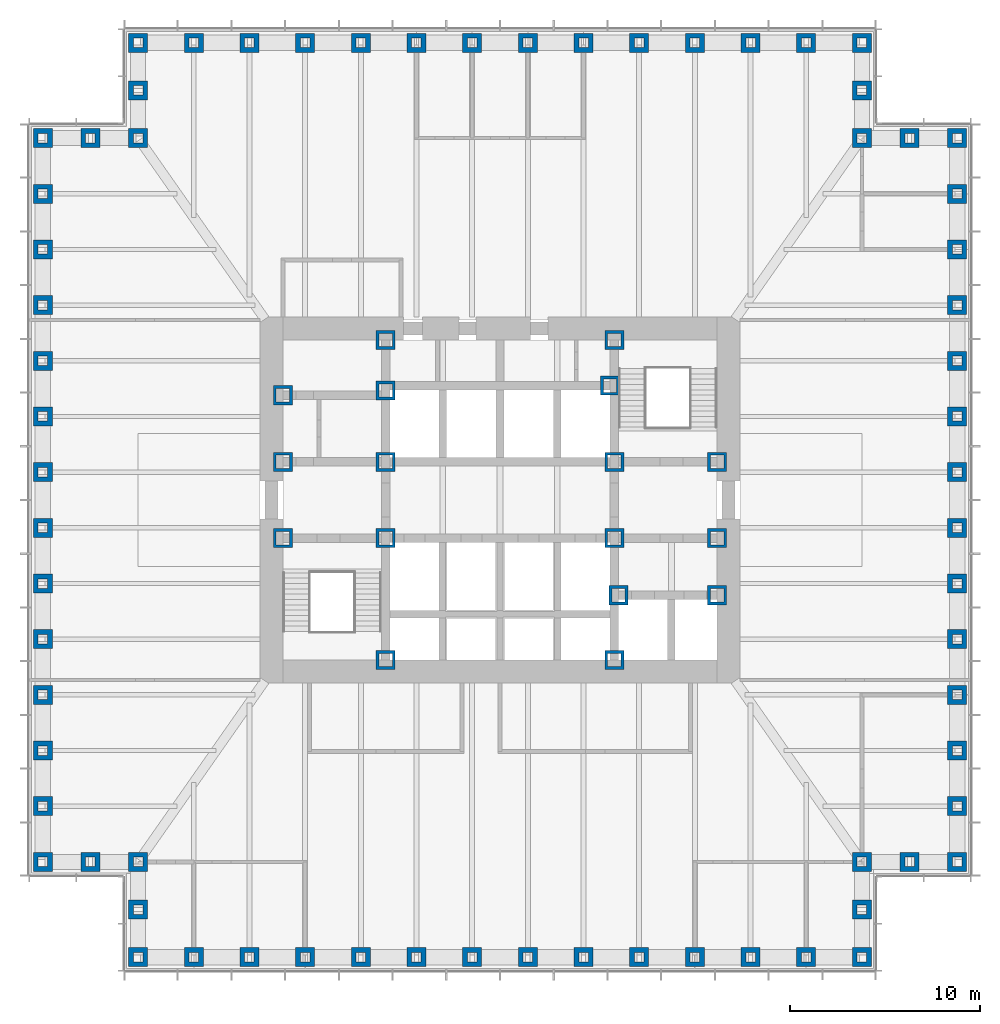
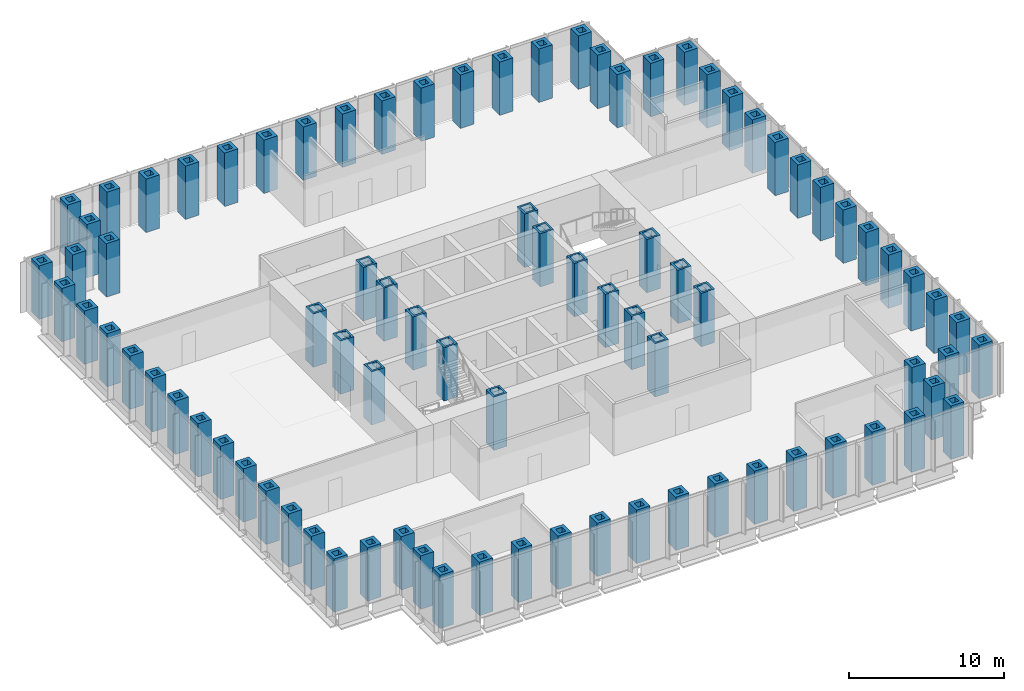
# One storey, part 1 of 16: 85 columns.
"""IFC4 building model written with IfcOpenShell, lengths in metres."""

from ifc_helpers import new_model, si_unit, direction, frame, origin, origin_2d, place, context, subcontext, project, spatial, hollow_rectangle, extrude, material, material_profile, profile_set, type_object, element, save


model = new_model("IFC4")

# Units and contexts
model_context = context("Model", 3, precision=1e-05, world=origin(), true_north=direction((0.0, 1.0)))
body_context = subcontext(model_context, "Body", "Model", "MODEL_VIEW")
ifc_project = project(units=[si_unit("LENGTHUNIT", "METRE"), si_unit("AREAUNIT", "SQUARE_METRE"), si_unit("VOLUMEUNIT", "CUBIC_METRE"), si_unit("PLANEANGLEUNIT", "RADIAN"), si_unit("MASSUNIT", "GRAM", prefix="KILO")], contexts=[model_context])

# Site, building, storey
site_placement = place(None, origin())
site = spatial("IfcSite", under=ifc_project, at=site_placement, CompositionType="ELEMENT")
building_placement = place(site_placement, origin())
building = spatial("IfcBuilding", under=site, at=building_placement, Name="Daluyong Arena Tower", CompositionType="ELEMENT")
storey_placement = place(building_placement, frame((0.0, 0.0, 47.5)))
storey = spatial("IfcBuildingStorey", under=building, at=storey_placement, Name="L09", CompositionType="ELEMENT", Elevation=47.5)

# Columns
ifc_material_1 = material(Name="Steel ASTM A588 Grade 50", Category="steel")
ifc_material_profile_1 = material_profile(ifc_material_1, hollow_rectangle(XDim=1.0, YDim=1.0, WallThickness=0.15, at=origin_2d()))
ifc_profile_set_1 = profile_set([ifc_material_profile_1], Name="Steel ASTM A588 Grade 50")
column_type_1 = type_object("IfcColumnType", Name="Core boundary column BX1000X150", PredefinedType="COLUMN", material=ifc_profile_set_1)
for number, where, z_axis, x_axis, name in (
    (1, (44.60009765625, 78.0, 0.0), (0.0, 0.0, 1.0), (1.0, 0.0, 0.0), "core boundary column BC1"),
    (2, (44.60009765625, 82.0, 0.0), (0.0, 0.0, 1.0), (1.0, 0.0, 0.0), "core boundary column BC1"),
    (3, (44.60009765625, 85.5, 0.0), (0.0, 0.0, 1.0), (1.0, 0.0, 0.0), "core boundary column BC1"),
    (4, (50.0, 71.60009765625, 0.0), (0.0, 0.0, 1.0), (1.0, 0.0, 0.0), "core boundary column BC1"),
    (5, (50.0, 78.0, 0.0), (0.0, 0.0, 1.0), (1.0, 0.0, 0.0), "core boundary column BC1"),
    (6, (50.0, 82.0, 0.0), (0.0, 0.0, 1.0), (1.0, 0.0, 0.0), "core boundary column BC1"),
    (7, (50.0, 85.75, 0.0), (0.0, 0.0, 1.0), (1.0, 0.0, 0.0), "core boundary column BC1"),
    (8, (50.0, 88.39990234375, 0.0), (0.0, 0.0, 1.0), (1.0, 0.0, 0.0), "core boundary column BC1"),
    (9, (61.77490234375, 86.0, 0.0), (0.0, 0.0, 1.0), (1.0, 0.0, 0.0), "core boundary column BC1"),
    (10, (62.0, 71.60009765625, 0.0), (0.0, 0.0, 1.0), (1.0, 0.0, 0.0), "core boundary column BC1"),
    (11, (62.0, 78.0, 0.0), (0.0, 0.0, 1.0), (1.0, 0.0, 0.0), "core boundary column BC1"),
    (12, (62.0, 82.0, 0.0), (0.0, 0.0, 1.0), (1.0, 0.0, 0.0), "core boundary column BC1"),
    (13, (62.0, 88.39990234375, 0.0), (0.0, 0.0, 1.0), (1.0, 0.0, 0.0), "core boundary column BC1"),
    (14, (62.22509765625, 75.0, 0.0), (0.0, 0.0, 1.0), (1.0, 0.0, 0.0), "core boundary column BC1"),
    (15, (67.39990234375, 75.0, 0.0), (0.0, 0.0, 1.0), (1.0, 0.0, 0.0), "core boundary column BC1"),
    (16, (67.39990234375, 78.0, 0.0), (0.0, 0.0, 1.0), (1.0, 0.0, 0.0), "core boundary column BC1"),
    (17, (67.39990234375, 82.0, 0.0), (0.0, 0.0, 1.0), (1.0, 0.0, 0.0), "core boundary column BC1"),
):
    element("IfcColumn", number, at=place(storey_placement, frame(where, z_axis=z_axis, x_axis=x_axis)), inside=storey, type_object=column_type_1, Name=name, PredefinedType="COLUMN", context=body_context, shape_type="SweptSolid", body=[
        extrude(hollow_rectangle(XDim=1.0, YDim=1.0, WallThickness=0.15, at=origin_2d()), origin(), (0.0, 0.0, 1.0), 4.199951171875),
    ])
ifc_material_2 = material(Name="Steel ASTM A36", Category="steel")
ifc_material_profile_2 = material_profile(ifc_material_2, hollow_rectangle(XDim=1.0, YDim=1.0, WallThickness=0.25, at=origin_2d()))
ifc_profile_set_2 = profile_set([ifc_material_profile_2], Name="Steel ASTM A36")
column_type_2 = type_object("IfcColumnType", Name="Tube column BX1000X250 BX1000X250", PredefinedType="COLUMN", material=ifc_profile_set_2)
for number, where, z_axis, x_axis, name in (
    (18, (37.0, 56.0, 0.0), (0.0, 0.0, 1.0), (1.0, 0.0, 0.0), "tube column bx1000x250 TC2"),
    (19, (39.923095703125, 56.0, 0.0), (0.0, 0.0, 1.0), (1.0, 0.0, 0.0), "tube column bx1000x250 TC2"),
    (20, (42.84619140625, 56.0, 0.0), (0.0, 0.0, 1.0), (1.0, 0.0, 0.0), "tube column bx1000x250 TC2"),
    (21, (45.769287109375, 56.0, 0.0), (0.0, 0.0, 1.0), (1.0, 0.0, 0.0), "tube column bx1000x250 TC2"),
    (22, (48.6923828125, 56.0, 0.0), (0.0, 0.0, 1.0), (1.0, 0.0, 0.0), "tube column bx1000x250 TC2"),
    (23, (51.615478515625, 56.0, 0.0), (0.0, 0.0, 1.0), (1.0, 0.0, 0.0), "tube column bx1000x250 TC2"),
    (24, (54.53857421875, 56.0, 0.0), (0.0, 0.0, 1.0), (1.0, 0.0, 0.0), "tube column bx1000x250 TC2"),
    (25, (57.46142578125, 56.0, 0.0), (0.0, 0.0, 1.0), (1.0, 0.0, 0.0), "tube column bx1000x250 TC2"),
    (26, (60.384521484375, 56.0, 0.0), (0.0, 0.0, 1.0), (1.0, 0.0, 0.0), "tube column bx1000x250 TC2"),
    (27, (63.3076171875, 56.0, 0.0), (0.0, 0.0, 1.0), (1.0, 0.0, 0.0), "tube column bx1000x250 TC2"),
    (28, (66.230712890625, 56.0, 0.0), (0.0, 0.0, 1.0), (1.0, 0.0, 0.0), "tube column bx1000x250 TC2"),
    (29, (69.15380859375, 56.0, 0.0), (0.0, 0.0, 1.0), (1.0, 0.0, 0.0), "tube column bx1000x250 TC2"),
    (30, (72.076904296875, 56.0, 0.0), (0.0, 0.0, 1.0), (1.0, 0.0, 0.0), "tube column bx1000x250 TC2"),
    (31, (75.0, 56.0, 0.0), (0.0, 0.0, 1.0), (0.0, 1.0, 0.0), "tube column bx1000x250 TC2"),
    (32, (75.0, 58.5, 0.0), (0.0, 0.0, 1.0), (0.0, 1.0, 0.0), "tube column bx1000x250 TC2"),
    (33, (75.0, 61.0, 0.0), (0.0, 0.0, 1.0), (1.0, 0.0, 0.0), "tube column bx1000x250 TC2"),
    (34, (77.5, 61.0, 0.0), (0.0, 0.0, 1.0), (1.0, 0.0, 0.0), "tube column bx1000x250 TC2"),
    (35, (80.0, 61.0, 0.0), (0.0, 0.0, 1.0), (0.0, 1.0, 0.0), "tube column bx1000x250 TC2"),
    (36, (80.0, 63.923095703125, 0.0), (0.0, 0.0, 1.0), (0.0, 1.0, 0.0), "tube column bx1000x250 TC2"),
    (37, (80.0, 66.84619140625, 0.0), (0.0, 0.0, 1.0), (0.0, 1.0, 0.0), "tube column bx1000x250 TC2"),
    (38, (80.0, 69.769287109375, 0.0), (0.0, 0.0, 1.0), (0.0, 1.0, 0.0), "tube column bx1000x250 TC2"),
    (39, (80.0, 72.6923828125, 0.0), (0.0, 0.0, 1.0), (0.0, 1.0, 0.0), "tube column bx1000x250 TC2"),
    (40, (80.0, 75.615478515625, 0.0), (0.0, 0.0, 1.0), (0.0, 1.0, 0.0), "tube column bx1000x250 TC2"),
    (41, (80.0, 78.53857421875, 0.0), (0.0, 0.0, 1.0), (0.0, 1.0, 0.0), "tube column bx1000x250 TC2"),
    (42, (80.0, 81.46142578125, 0.0), (0.0, 0.0, 1.0), (0.0, 1.0, 0.0), "tube column bx1000x250 TC2"),
    (43, (80.0, 84.384521484375, 0.0), (0.0, 0.0, 1.0), (0.0, 1.0, 0.0), "tube column bx1000x250 TC2"),
    (44, (80.0, 87.3076171875, 0.0), (0.0, 0.0, 1.0), (0.0, 1.0, 0.0), "tube column bx1000x250 TC2"),
    (45, (80.0, 90.230712890625, 0.0), (0.0, 0.0, 1.0), (0.0, 1.0, 0.0), "tube column bx1000x250 TC2"),
    (46, (80.0, 93.15380859375, 0.0), (0.0, 0.0, 1.0), (0.0, 1.0, 0.0), "tube column bx1000x250 TC2"),
    (47, (80.0, 96.076904296875, 0.0), (0.0, 0.0, 1.0), (0.0, 1.0, 0.0), "tube column bx1000x250 TC2"),
    (48, (80.0, 99.0, 0.0), (0.0, 0.0, 1.0), (1.0, 0.0, 0.0), "tube column bx1000x250 TC2"),
    (49, (77.5, 99.0, 0.0), (0.0, 0.0, 1.0), (1.0, 0.0, 0.0), "tube column bx1000x250 TC2"),
    (50, (75.0, 99.0, 0.0), (0.0, 0.0, 1.0), (0.0, 1.0, 0.0), "tube column bx1000x250 TC2"),
    (51, (75.0, 101.5, 0.0), (0.0, 0.0, 1.0), (0.0, 1.0, 0.0), "tube column bx1000x250 TC2"),
    (52, (75.0, 104.0, 0.0), (0.0, 0.0, 1.0), (1.0, 0.0, 0.0), "tube column bx1000x250 TC2"),
    (53, (72.076904296875, 104.0, 0.0), (0.0, 0.0, 1.0), (1.0, 0.0, 0.0), "tube column bx1000x250 TC2"),
    (54, (69.15380859375, 104.0, 0.0), (0.0, 0.0, 1.0), (1.0, 0.0, 0.0), "tube column bx1000x250 TC2"),
    (55, (66.230712890625, 104.0, 0.0), (0.0, 0.0, 1.0), (1.0, 0.0, 0.0), "tube column bx1000x250 TC2"),
    (56, (63.3076171875, 104.0, 0.0), (0.0, 0.0, 1.0), (1.0, 0.0, 0.0), "tube column bx1000x250 TC2"),
    (57, (60.384521484375, 104.0, 0.0), (0.0, 0.0, 1.0), (1.0, 0.0, 0.0), "tube column bx1000x250 TC2"),
    (58, (57.46142578125, 104.0, 0.0), (0.0, 0.0, 1.0), (1.0, 0.0, 0.0), "tube column bx1000x250 TC2"),
    (59, (54.53857421875, 104.0, 0.0), (0.0, 0.0, 1.0), (1.0, 0.0, 0.0), "tube column bx1000x250 TC2"),
    (60, (51.615478515625, 104.0, 0.0), (0.0, 0.0, 1.0), (1.0, 0.0, 0.0), "tube column bx1000x250 TC2"),
    (61, (48.6923828125, 104.0, 0.0), (0.0, 0.0, 1.0), (1.0, 0.0, 0.0), "tube column bx1000x250 TC2"),
    (62, (45.769287109375, 104.0, 0.0), (0.0, 0.0, 1.0), (1.0, 0.0, 0.0), "tube column bx1000x250 TC2"),
    (63, (42.84619140625, 104.0, 0.0), (0.0, 0.0, 1.0), (1.0, 0.0, 0.0), "tube column bx1000x250 TC2"),
    (64, (39.923095703125, 104.0, 0.0), (0.0, 0.0, 1.0), (1.0, 0.0, 0.0), "tube column bx1000x250 TC2"),
    (65, (37.0, 104.0, 0.0), (0.0, 0.0, 1.0), (0.0, 1.0, 0.0), "tube column bx1000x250 TC2"),
    (66, (37.0, 101.5, 0.0), (0.0, 0.0, 1.0), (0.0, 1.0, 0.0), "tube column bx1000x250 TC2"),
    (67, (37.0, 99.0, 0.0), (0.0, 0.0, 1.0), (1.0, 0.0, 0.0), "tube column bx1000x250 TC2"),
    (68, (34.5, 99.0, 0.0), (0.0, 0.0, 1.0), (1.0, 0.0, 0.0), "tube column bx1000x250 TC2"),
    (69, (32.0, 99.0, 0.0), (0.0, 0.0, 1.0), (0.0, 1.0, 0.0), "tube column bx1000x250 TC2"),
    (70, (32.0, 96.076904296875, 0.0), (0.0, 0.0, 1.0), (0.0, 1.0, 0.0), "tube column bx1000x250 TC2"),
    (71, (32.0, 93.15380859375, 0.0), (0.0, 0.0, 1.0), (0.0, 1.0, 0.0), "tube column bx1000x250 TC2"),
    (72, (32.0, 90.230712890625, 0.0), (0.0, 0.0, 1.0), (0.0, 1.0, 0.0), "tube column bx1000x250 TC2"),
    (73, (32.0, 87.3076171875, 0.0), (0.0, 0.0, 1.0), (0.0, 1.0, 0.0), "tube column bx1000x250 TC2"),
    (74, (32.0, 84.384521484375, 0.0), (0.0, 0.0, 1.0), (0.0, 1.0, 0.0), "tube column bx1000x250 TC2"),
    (75, (32.0, 81.46142578125, 0.0), (0.0, 0.0, 1.0), (0.0, 1.0, 0.0), "tube column bx1000x250 TC2"),
    (76, (32.0, 78.53857421875, 0.0), (0.0, 0.0, 1.0), (0.0, 1.0, 0.0), "tube column bx1000x250 TC2"),
    (77, (32.0, 75.615478515625, 0.0), (0.0, 0.0, 1.0), (0.0, 1.0, 0.0), "tube column bx1000x250 TC2"),
    (78, (32.0, 72.6923828125, 0.0), (0.0, 0.0, 1.0), (0.0, 1.0, 0.0), "tube column bx1000x250 TC2"),
    (79, (32.0, 69.769287109375, 0.0), (0.0, 0.0, 1.0), (0.0, 1.0, 0.0), "tube column bx1000x250 TC2"),
    (80, (32.0, 66.84619140625, 0.0), (0.0, 0.0, 1.0), (0.0, 1.0, 0.0), "tube column bx1000x250 TC2"),
    (81, (32.0, 63.923095703125, 0.0), (0.0, 0.0, 1.0), (0.0, 1.0, 0.0), "tube column bx1000x250 TC2"),
    (82, (32.0, 61.0, 0.0), (0.0, 0.0, 1.0), (1.0, 0.0, 0.0), "tube column bx1000x250 TC2"),
    (83, (34.5, 61.0, 0.0), (0.0, 0.0, 1.0), (1.0, 0.0, 0.0), "tube column bx1000x250 TC2"),
    (84, (37.0, 61.0, 0.0), (0.0, 0.0, 1.0), (0.0, 1.0, 0.0), "tube column bx1000x250 TC2"),
    (85, (37.0, 58.5, 0.0), (0.0, 0.0, 1.0), (0.0, 1.0, 0.0), "tube column bx1000x250 TC2"),
):
    element("IfcColumn", number, at=place(storey_placement, frame(where, z_axis=z_axis, x_axis=x_axis)), inside=storey, type_object=column_type_2, Name=name, PredefinedType="COLUMN", context=body_context, shape_type="SweptSolid", body=[
        extrude(hollow_rectangle(XDim=1.0, YDim=1.0, WallThickness=0.25, at=origin_2d()), origin(), (0.0, 0.0, 1.0), 4.199951171875),
    ])

save(model, "model.ifc")
